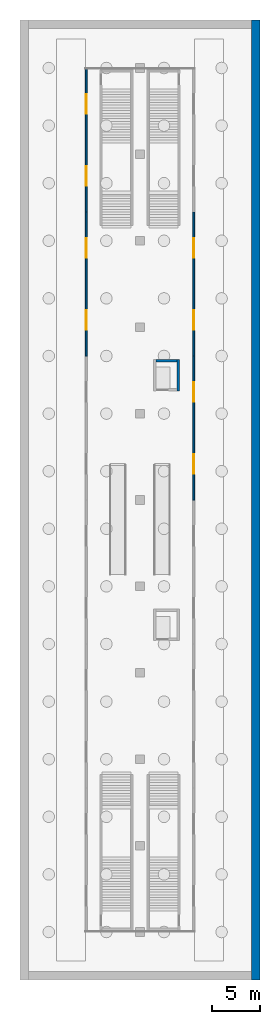
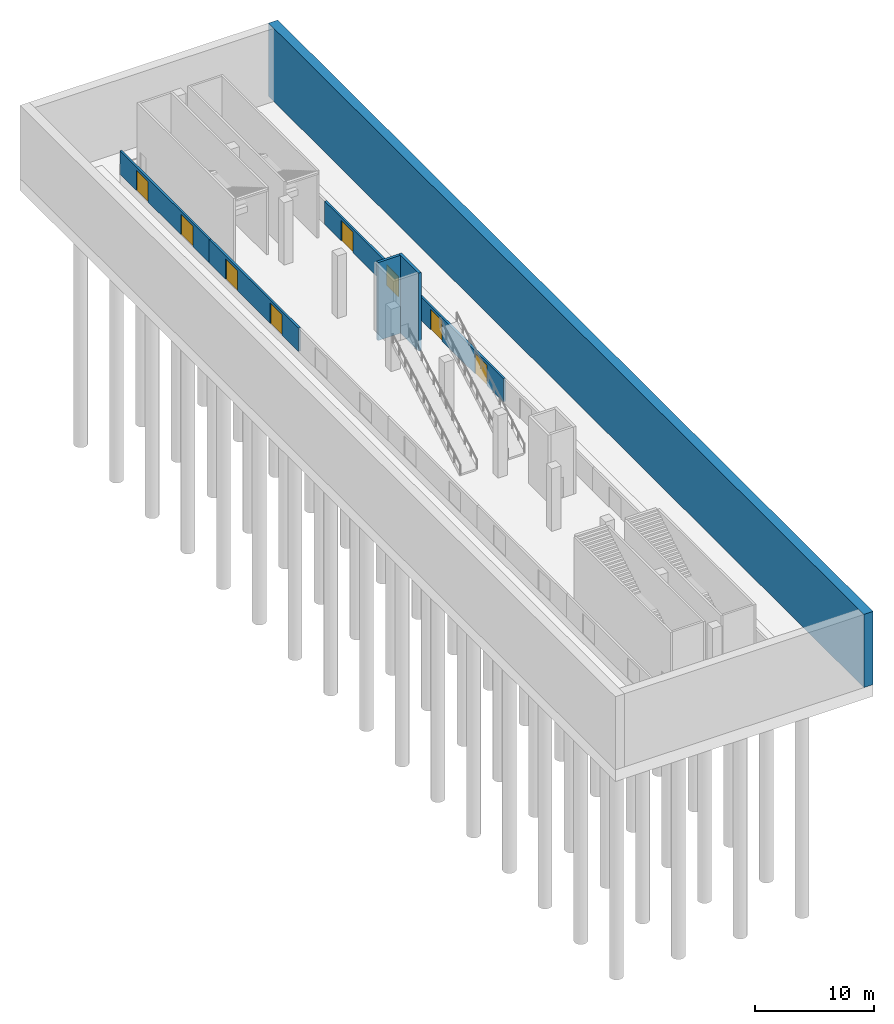
# One storey, part 5 of 16: 8 windows, 7 walls, 8 openings.
"""IFC4 building model written with IfcOpenShell, lengths in metres."""

from ifc_helpers import new_model, si_unit, direction, frame, frame_2d, origin, place, context, subcontext, project, spatial, rectangle, extrude, material, layer, layer_set, type_object, element, fill, save


model = new_model("IFC4")

# Units and contexts
model_context = context("Model", 3, precision=1e-05, world=origin(), true_north=direction((0.0, 1.0)))
body_context = subcontext(model_context, "Body", "Model", "MODEL_VIEW")
ifc_project = project(units=[si_unit("LENGTHUNIT", "METRE"), si_unit("AREAUNIT", "SQUARE_METRE"), si_unit("VOLUMEUNIT", "CUBIC_METRE"), si_unit("PLANEANGLEUNIT", "RADIAN"), si_unit("MASSUNIT", "GRAM", prefix="KILO")], contexts=[model_context])

# Site, building, storey
site_placement = place(None, origin())
site = spatial("IfcSite", under=ifc_project, at=site_placement, CompositionType="ELEMENT")
building_placement = place(site_placement, origin())
building = spatial("IfcBuilding", under=site, at=building_placement, Name="Ogive Plaza Stadium", CompositionType="ELEMENT")
storey_placement = place(building_placement, frame((0.0, 0.0, -11.39990234375)))
storey = spatial("IfcBuildingStorey", under=building, at=storey_placement, Name="B2", CompositionType="ELEMENT", Elevation=-11.39990234375)

# Walls
ifc_material_1 = material(Name="Concrete C35/45", Category="concrete")
ifc_layer_1 = layer(ifc_material_1, 0.89990234375)
ifc_layer_set_1 = layer_set([ifc_layer_1], Name="Concrete C35/45")
wall_type_1 = type_object("IfcWallType", Name="Diaphragm wall 900", PredefinedType="STANDARD", material=ifc_layer_set_1)
wall_1_placement = place(storey_placement, frame((119.550048828125, -50.0, -1.10009765625), z_axis=(0.0, 0.0, 1.0), x_axis=(0.0, 1.0, 0.0)))
element("IfcWall", 1, at=wall_1_placement, inside=storey, type_object=wall_type_1, Name="Diaphragm wall 900 B2 east", PredefinedType="STANDARD", context=body_context, shape_type="SweptSolid", body=[
    extrude(rectangle(XDim=100.0, YDim=0.89990234375, at=frame_2d((50.0, 0.0))), origin(), (0.0, 0.0, 1.0), 7.5),
])
ifc_material_2 = material(Name="Concrete C40/50", Category="concrete")
ifc_layer_2 = layer(ifc_material_2, 0.25)
ifc_layer_set_2 = layer_set([ifc_layer_2], Name="Concrete C40/50")
wall_type_2 = type_object("IfcWallType", Name="Lift shaft wall 250", PredefinedType="SHEAR", material=ifc_layer_set_2)
wall_2_placement = place(storey_placement, frame((111.47509765625, 11.35009765625, -1.10009765625), z_axis=(0.0, 0.0, 1.0), x_axis=(0.0, 1.0, 0.0)))
element("IfcWall", 2, at=wall_2_placement, inside=storey, type_object=wall_type_2, Name="Lift shaft wall 250 B2 east", PredefinedType="SHEAR", context=body_context, shape_type="SweptSolid", body=[
    extrude(rectangle(XDim=3.2998046875, YDim=0.25, at=frame_2d((1.64990234375, 0.0))), origin(), (0.0, 0.0, 1.0), 8.0),
])
wall_3_placement = place(storey_placement, frame((109.14990234375, 14.52490234375, -1.10009765625), z_axis=(0.0, 0.0, 1.0), x_axis=(1.0, 0.0, 0.0)))
element("IfcWall", 3, at=wall_3_placement, inside=storey, type_object=wall_type_2, Name="Lift shaft wall 250 B2 north", PredefinedType="SHEAR", context=body_context, shape_type="SweptSolid", body=[
    extrude(rectangle(XDim=2.2001953125, YDim=0.25, at=frame_2d((1.10009765625, 0.0))), origin(), (0.0, 0.0, 1.0), 8.0),
])

# Wall, openings, windows
ifc_material_3 = material(Name="Laminated glass screen", Category="glass")
ifc_layer_3 = layer(ifc_material_3, 0.199951171875)
ifc_layer_set_3 = layer_set([ifc_layer_3], Name="Platform screen wall 200")
wall_type_3 = type_object("IfcWallType", Name="Platform screen wall 200", PredefinedType="PARTITIONING", material=ifc_layer_set_3)
wall_4_placement = place(storey_placement, frame((101.89990234375, 15.0, 0.0), z_axis=(0.0, 0.0, 1.0), x_axis=(0.0, 1.0, 0.0)))
wall_4 = element("IfcWall", 4, at=wall_4_placement, inside=storey, type_object=wall_type_3, Name="Platform screen wall 5", PredefinedType="PARTITIONING", context=body_context, shape_type="SweptSolid", body=[
    extrude(rectangle(XDim=15.0, YDim=0.199951171875, at=frame_2d((7.5, 0.0))), origin(), (0.0, 0.0, 1.0), 2.39990234375),
])
opening_1_placement = place(wall_4_placement, frame((2.75, 0.0, 0.0)))
opening_1 = element("IfcOpeningElement", 5, at=opening_1_placement, cuts=wall_4, Name="Opening PSG09", PredefinedType="OPENING", context=body_context, shape_type="SweptSolid", body=[
    extrude(rectangle(XDim=2.0, YDim=2.10009765625, at=frame_2d((1.0, 1.050048828125))), frame((0.0, 0.10009765625, 0.0), z_axis=(0.0, -1.0, 0.0), x_axis=(1.0, 0.0, 0.0)), (0.0, 0.0, 1.0), 0.199951171875),
])
opening_2_placement = place(wall_4_placement, frame((10.25, 0.0, 0.0)))
opening_2 = element("IfcOpeningElement", 6, at=opening_2_placement, cuts=wall_4, Name="Opening PSG10", PredefinedType="OPENING", context=body_context, shape_type="SweptSolid", body=[
    extrude(rectangle(XDim=2.0, YDim=2.10009765625, at=frame_2d((1.0, 1.050048828125))), frame((0.0, 0.10009765625, 0.0), z_axis=(0.0, -1.0, 0.0), x_axis=(1.0, 0.0, 0.0)), (0.0, 0.0, 1.0), 0.199951171875),
])
ifc_material_4 = material(Name="Laminated glass and steel frame", Category="steel")
window_type = type_object("IfcWindowType", Name="Platform screen glazing 2000x2100", PartitioningType="DOUBLE_PANEL_HORIZONTAL", PredefinedType="WINDOW", material=ifc_material_4)
window_1_placement = place(opening_1_placement, origin())
window_1 = element("IfcWindow", 7, at=window_1_placement, inside=storey, type_object=window_type, Name="Platform screen glazing PSG09", OverallHeight=2.10009765625, OverallWidth=2.0, PartitioningType="DOUBLE_PANEL_HORIZONTAL", PredefinedType="WINDOW", context=body_context, shape_type="SweptSolid", body=[
    extrude(rectangle(XDim=2.0, YDim=2.10009765625, at=frame_2d((1.0, 1.050048828125))), frame((0.0, 0.030029296875, 0.0), z_axis=(0.0, -1.0, 0.0), x_axis=(1.0, 0.0, 0.0)), (0.0, 0.0, 1.0), 0.06005859375),
])
fill(opening_1, window_1)
window_2_placement = place(opening_2_placement, origin())
window_2 = element("IfcWindow", 8, at=window_2_placement, inside=storey, type_object=window_type, Name="Platform screen glazing PSG10", OverallHeight=2.10009765625, OverallWidth=2.0, PartitioningType="DOUBLE_PANEL_HORIZONTAL", PredefinedType="WINDOW", context=body_context, shape_type="SweptSolid", body=[
    extrude(rectangle(XDim=2.0, YDim=2.10009765625, at=frame_2d((1.0, 1.050048828125))), frame((0.0, 0.030029296875, 0.0), z_axis=(0.0, -1.0, 0.0), x_axis=(1.0, 0.0, 0.0)), (0.0, 0.0, 1.0), 0.06005859375),
])
fill(opening_2, window_2)

wall_5_placement = place(storey_placement, frame((101.89990234375, 30.0, 0.0), z_axis=(0.0, 0.0, 1.0), x_axis=(0.0, 1.0, 0.0)))
wall_5 = element("IfcWall", 9, at=wall_5_placement, inside=storey, type_object=wall_type_3, Name="Platform screen wall 6", PredefinedType="PARTITIONING", context=body_context, shape_type="SweptSolid", body=[
    extrude(rectangle(XDim=15.0, YDim=0.199951171875, at=frame_2d((7.5, 0.0))), origin(), (0.0, 0.0, 1.0), 2.39990234375),
])
opening_3_placement = place(wall_5_placement, frame((2.75, 0.0, 0.0)))
opening_3 = element("IfcOpeningElement", 10, at=opening_3_placement, cuts=wall_5, Name="Opening PSG11", PredefinedType="OPENING", context=body_context, shape_type="SweptSolid", body=[
    extrude(rectangle(XDim=2.0, YDim=2.10009765625, at=frame_2d((1.0, 1.050048828125))), frame((0.0, 0.10009765625, 0.0), z_axis=(0.0, -1.0, 0.0), x_axis=(1.0, 0.0, 0.0)), (0.0, 0.0, 1.0), 0.199951171875),
])
opening_4_placement = place(wall_5_placement, frame((10.25, 0.0, 0.0)))
opening_4 = element("IfcOpeningElement", 11, at=opening_4_placement, cuts=wall_5, Name="Opening PSG12", PredefinedType="OPENING", context=body_context, shape_type="SweptSolid", body=[
    extrude(rectangle(XDim=2.0, YDim=2.10009765625, at=frame_2d((1.0, 1.050048828125))), frame((0.0, 0.10009765625, 0.0), z_axis=(0.0, -1.0, 0.0), x_axis=(1.0, 0.0, 0.0)), (0.0, 0.0, 1.0), 0.199951171875),
])
window_3_placement = place(opening_3_placement, origin())
window_3 = element("IfcWindow", 12, at=window_3_placement, inside=storey, type_object=window_type, Name="Platform screen glazing PSG11", OverallHeight=2.10009765625, OverallWidth=2.0, PartitioningType="DOUBLE_PANEL_HORIZONTAL", PredefinedType="WINDOW", context=body_context, shape_type="SweptSolid", body=[
    extrude(rectangle(XDim=2.0, YDim=2.10009765625, at=frame_2d((1.0, 1.050048828125))), frame((0.0, 0.030029296875, 0.0), z_axis=(0.0, -1.0, 0.0), x_axis=(1.0, 0.0, 0.0)), (0.0, 0.0, 1.0), 0.06005859375),
])
fill(opening_3, window_3)
window_4_placement = place(opening_4_placement, origin())
window_4 = element("IfcWindow", 13, at=window_4_placement, inside=storey, type_object=window_type, Name="Platform screen glazing PSG12", OverallHeight=2.10009765625, OverallWidth=2.0, PartitioningType="DOUBLE_PANEL_HORIZONTAL", PredefinedType="WINDOW", context=body_context, shape_type="SweptSolid", body=[
    extrude(rectangle(XDim=2.0, YDim=2.10009765625, at=frame_2d((1.0, 1.050048828125))), frame((0.0, 0.030029296875, 0.0), z_axis=(0.0, -1.0, 0.0), x_axis=(1.0, 0.0, 0.0)), (0.0, 0.0, 1.0), 0.06005859375),
])
fill(opening_4, window_4)

wall_6_placement = place(storey_placement, frame((113.10009765625, 0.0, 0.0), z_axis=(0.0, 0.0, 1.0), x_axis=(0.0, 1.0, 0.0)))
wall_6 = element("IfcWall", 14, at=wall_6_placement, inside=storey, type_object=wall_type_3, Name="Platform screen wall 10", PredefinedType="PARTITIONING", context=body_context, shape_type="SweptSolid", body=[
    extrude(rectangle(XDim=15.0, YDim=0.199951171875, at=frame_2d((7.5, 0.0))), origin(), (0.0, 0.0, 1.0), 2.39990234375),
])
opening_5_placement = place(wall_6_placement, frame((2.75, 0.0, 0.0)))
opening_5 = element("IfcOpeningElement", 15, at=opening_5_placement, cuts=wall_6, Name="Opening PSG19", PredefinedType="OPENING", context=body_context, shape_type="SweptSolid", body=[
    extrude(rectangle(XDim=2.0, YDim=2.10009765625, at=frame_2d((1.0, 1.050048828125))), frame((0.0, 0.10009765625, 0.0), z_axis=(0.0, -1.0, 0.0), x_axis=(1.0, 0.0, 0.0)), (0.0, 0.0, 1.0), 0.199951171875),
])
opening_6_placement = place(wall_6_placement, frame((10.25, 0.0, 0.0)))
opening_6 = element("IfcOpeningElement", 16, at=opening_6_placement, cuts=wall_6, Name="Opening PSG20", PredefinedType="OPENING", context=body_context, shape_type="SweptSolid", body=[
    extrude(rectangle(XDim=2.0, YDim=2.10009765625, at=frame_2d((1.0, 1.050048828125))), frame((0.0, 0.10009765625, 0.0), z_axis=(0.0, -1.0, 0.0), x_axis=(1.0, 0.0, 0.0)), (0.0, 0.0, 1.0), 0.199951171875),
])
window_5_placement = place(opening_5_placement, origin())
window_5 = element("IfcWindow", 17, at=window_5_placement, inside=storey, type_object=window_type, Name="Platform screen glazing PSG19", OverallHeight=2.10009765625, OverallWidth=2.0, PartitioningType="DOUBLE_PANEL_HORIZONTAL", PredefinedType="WINDOW", context=body_context, shape_type="SweptSolid", body=[
    extrude(rectangle(XDim=2.0, YDim=2.10009765625, at=frame_2d((1.0, 1.050048828125))), frame((0.0, 0.030029296875, 0.0), z_axis=(0.0, -1.0, 0.0), x_axis=(1.0, 0.0, 0.0)), (0.0, 0.0, 1.0), 0.06005859375),
])
fill(opening_5, window_5)
window_6_placement = place(opening_6_placement, origin())
window_6 = element("IfcWindow", 18, at=window_6_placement, inside=storey, type_object=window_type, Name="Platform screen glazing PSG20", OverallHeight=2.10009765625, OverallWidth=2.0, PartitioningType="DOUBLE_PANEL_HORIZONTAL", PredefinedType="WINDOW", context=body_context, shape_type="SweptSolid", body=[
    extrude(rectangle(XDim=2.0, YDim=2.10009765625, at=frame_2d((1.0, 1.050048828125))), frame((0.0, 0.030029296875, 0.0), z_axis=(0.0, -1.0, 0.0), x_axis=(1.0, 0.0, 0.0)), (0.0, 0.0, 1.0), 0.06005859375),
])
fill(opening_6, window_6)

wall_7_placement = place(storey_placement, frame((113.10009765625, 15.0, 0.0), z_axis=(0.0, 0.0, 1.0), x_axis=(0.0, 1.0, 0.0)))
wall_7 = element("IfcWall", 19, at=wall_7_placement, inside=storey, type_object=wall_type_3, Name="Platform screen wall 11", PredefinedType="PARTITIONING", context=body_context, shape_type="SweptSolid", body=[
    extrude(rectangle(XDim=15.0, YDim=0.199951171875, at=frame_2d((7.5, 0.0))), origin(), (0.0, 0.0, 1.0), 2.39990234375),
])
opening_7_placement = place(wall_7_placement, frame((2.75, 0.0, 0.0)))
opening_7 = element("IfcOpeningElement", 20, at=opening_7_placement, cuts=wall_7, Name="Opening PSG21", PredefinedType="OPENING", context=body_context, shape_type="SweptSolid", body=[
    extrude(rectangle(XDim=2.0, YDim=2.10009765625, at=frame_2d((1.0, 1.050048828125))), frame((0.0, 0.10009765625, 0.0), z_axis=(0.0, -1.0, 0.0), x_axis=(1.0, 0.0, 0.0)), (0.0, 0.0, 1.0), 0.199951171875),
])
opening_8_placement = place(wall_7_placement, frame((10.25, 0.0, 0.0)))
opening_8 = element("IfcOpeningElement", 21, at=opening_8_placement, cuts=wall_7, Name="Opening PSG22", PredefinedType="OPENING", context=body_context, shape_type="SweptSolid", body=[
    extrude(rectangle(XDim=2.0, YDim=2.10009765625, at=frame_2d((1.0, 1.050048828125))), frame((0.0, 0.10009765625, 0.0), z_axis=(0.0, -1.0, 0.0), x_axis=(1.0, 0.0, 0.0)), (0.0, 0.0, 1.0), 0.199951171875),
])
window_7_placement = place(opening_7_placement, origin())
window_7 = element("IfcWindow", 22, at=window_7_placement, inside=storey, type_object=window_type, Name="Platform screen glazing PSG21", OverallHeight=2.10009765625, OverallWidth=2.0, PartitioningType="DOUBLE_PANEL_HORIZONTAL", PredefinedType="WINDOW", context=body_context, shape_type="SweptSolid", body=[
    extrude(rectangle(XDim=2.0, YDim=2.10009765625, at=frame_2d((1.0, 1.050048828125))), frame((0.0, 0.030029296875, 0.0), z_axis=(0.0, -1.0, 0.0), x_axis=(1.0, 0.0, 0.0)), (0.0, 0.0, 1.0), 0.06005859375),
])
fill(opening_7, window_7)
window_8_placement = place(opening_8_placement, origin())
window_8 = element("IfcWindow", 23, at=window_8_placement, inside=storey, type_object=window_type, Name="Platform screen glazing PSG22", OverallHeight=2.10009765625, OverallWidth=2.0, PartitioningType="DOUBLE_PANEL_HORIZONTAL", PredefinedType="WINDOW", context=body_context, shape_type="SweptSolid", body=[
    extrude(rectangle(XDim=2.0, YDim=2.10009765625, at=frame_2d((1.0, 1.050048828125))), frame((0.0, 0.030029296875, 0.0), z_axis=(0.0, -1.0, 0.0), x_axis=(1.0, 0.0, 0.0)), (0.0, 0.0, 1.0), 0.06005859375),
])
fill(opening_8, window_8)

save(model, "model.ifc")
